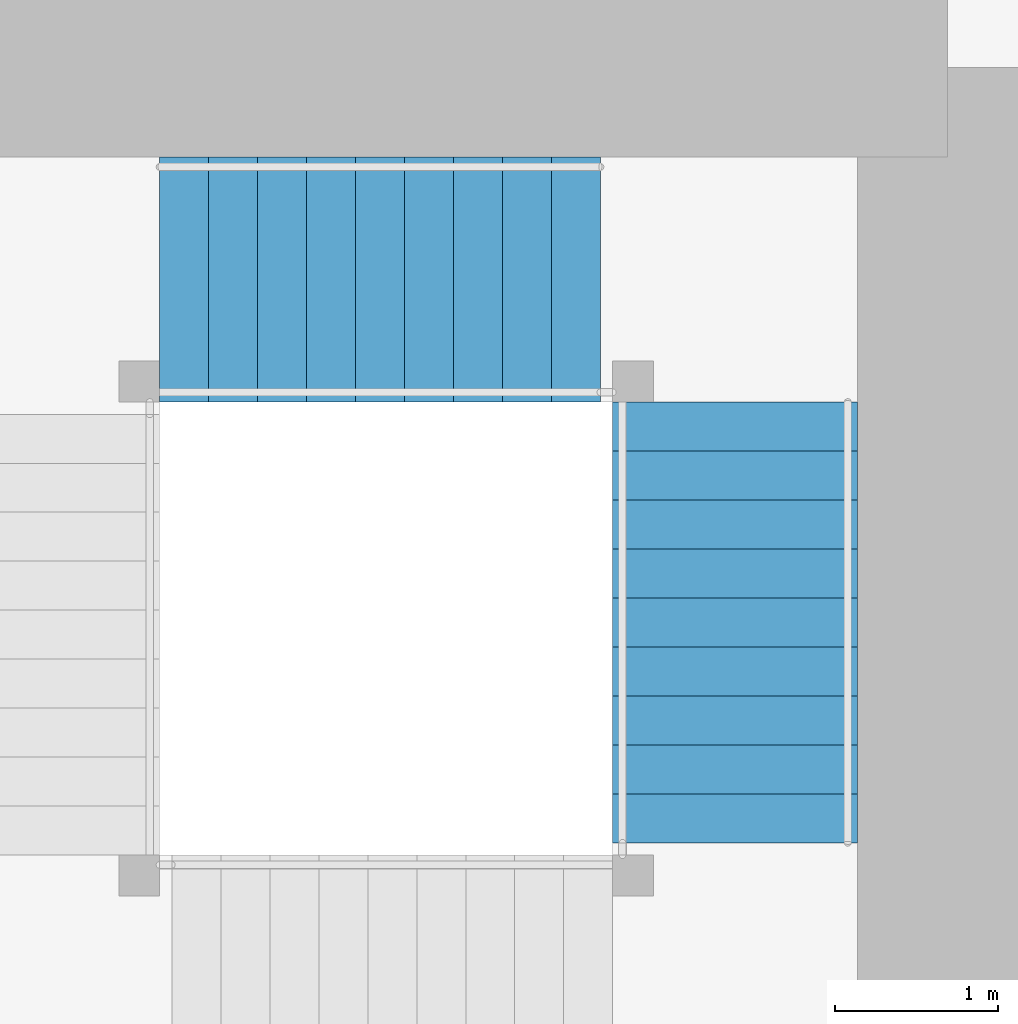
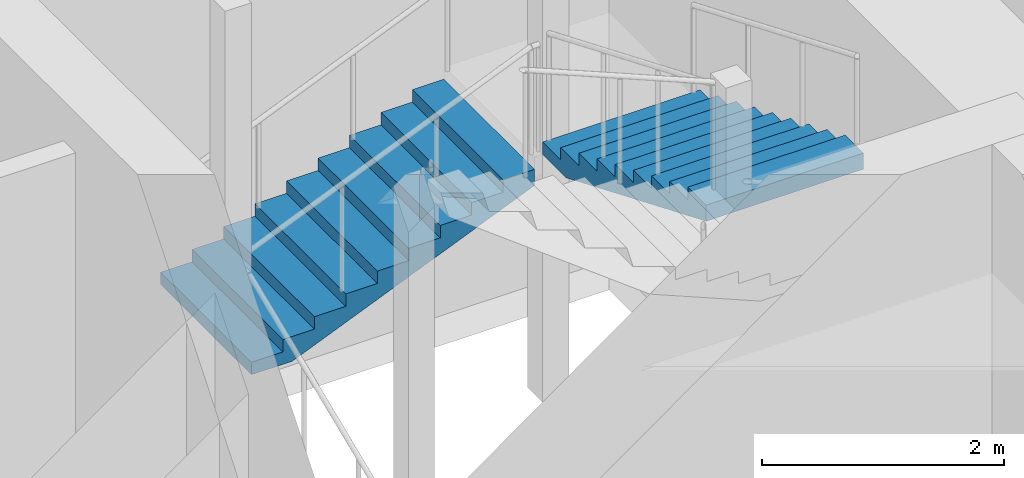
# One storey, part 43 of 52: 2 stair flights, 1 element without a shape of its own.
"""IFC4 building model written with IfcOpenShell, lengths in metres."""

from ifc_helpers import new_model, si_unit, direction, frame, origin, place, context, subcontext, project, spatial, polyline, outline, extrude, material, type_object, element, aggregate, save


model = new_model("IFC4")

# Units and contexts
model_context = context("Model", 3, precision=1e-05, world=origin(), true_north=direction((0.0, 1.0)))
body_context = subcontext(model_context, "Body", "Model", "MODEL_VIEW")
ifc_project = project(units=[si_unit("LENGTHUNIT", "METRE"), si_unit("AREAUNIT", "SQUARE_METRE"), si_unit("VOLUMEUNIT", "CUBIC_METRE"), si_unit("PLANEANGLEUNIT", "RADIAN"), si_unit("MASSUNIT", "GRAM", prefix="KILO")], contexts=[model_context])

# Site, building, storey
site_placement = place(None, origin())
site = spatial("IfcSite", under=ifc_project, at=site_placement, CompositionType="ELEMENT")
building_placement = place(site_placement, origin())
building = spatial("IfcBuilding", under=site, at=building_placement, Name="Rekha Terrace Tower", CompositionType="ELEMENT")
storey_placement = place(building_placement, frame((0.0, 0.0, 20.39990234375)))
storey = spatial("IfcBuildingStorey", under=building, at=storey_placement, Name="L04", CompositionType="ELEMENT", Elevation=20.39990234375)

# Stair, stair flights
ifc_material = material(Name="Concrete M40", Category="concrete")
stair_type = type_object("IfcStairType", Name="ST40 stair, 40 risers of 125, going 300, 1500 wide flights, 4 flights", PredefinedType="QUARTER_TURN_STAIR", material=ifc_material)
stair_placement = place(storey_placement, origin())
stair = element("IfcStair", 1, at=stair_placement, inside=storey, type_object=stair_type, Name="Stair ST2 L04 to L05", PredefinedType="QUARTER_TURN_STAIR")
stair_flight_type = type_object("IfcStairFlightType", Name="SF10 stair flight, 10 risers of 125, going 300, 1500 wide", PredefinedType="STRAIGHT", material=ifc_material)
stair_flight_1_placement = place(storey_placement, frame((45.574951171875, 44.89990234375, 1.25), z_axis=(0.0, 0.0, 1.0), x_axis=(1.0, 0.0, 0.0)))
stair_flight_1 = element("IfcStairFlight", 2, at=stair_flight_1_placement, type_object=stair_flight_type, Name="ST2 flight 2", NumberOfRisers=10, NumberOfTreads=9, PredefinedType="STRAIGHT", RiserHeight=0.125, TreadLength=0.3, context=body_context, shape_type="SweptSolid", body=[
    extrude(outline(polyline([(0.0, 0.0), (0.0, 0.125), (0.300048828125, 0.125), (0.300048828125, 0.25), (0.60009765625, 0.25), (0.60009765625, 0.375), (0.89990234375, 0.375), (0.89990234375, 0.5), (1.199951171875, 0.5), (1.199951171875, 0.625), (1.5, 0.625), (1.5, 0.75), (1.800048828125, 0.75), (1.800048828125, 0.875), (2.10009765625, 0.875), (2.10009765625, 1.0), (2.39990234375, 1.0), (2.39990234375, 1.125), (2.699951171875, 1.125), (2.699951171875, 1.25), (2.699951171875, 0.962646484375), (0.3896484375, 0.0), (0.0, 0.0)])), frame((0.0, 0.75, 0.0), z_axis=(0.0, -1.0, 0.0), x_axis=(1.0, 0.0, 0.0)), (0.0, 0.0, 1.0), 1.5),
])
stair_flight_2_placement = place(storey_placement, frame((49.10009765625, 44.14990234375, 2.5), z_axis=(0.0, 0.0, 1.0), x_axis=(0.0, -1.0, 0.0)))
stair_flight_2 = element("IfcStairFlight", 3, at=stair_flight_2_placement, type_object=stair_flight_type, Name="ST2 flight 3", NumberOfRisers=10, NumberOfTreads=9, PredefinedType="STRAIGHT", RiserHeight=0.125, TreadLength=0.3, context=body_context, shape_type="SweptSolid", body=[
    extrude(outline(polyline([(0.0, 0.0), (0.0, 0.125), (0.300048828125, 0.125), (0.300048828125, 0.25), (0.60009765625, 0.25), (0.60009765625, 0.375), (0.89990234375, 0.375), (0.89990234375, 0.5), (1.199951171875, 0.5), (1.199951171875, 0.625), (1.5, 0.625), (1.5, 0.75), (1.800048828125, 0.75), (1.800048828125, 0.875), (2.10009765625, 0.875), (2.10009765625, 1.0), (2.39990234375, 1.0), (2.39990234375, 1.125), (2.699951171875, 1.125), (2.699951171875, 1.25), (2.699951171875, 0.962646484375), (0.3896484375, 0.0), (0.0, 0.0)])), frame((0.0, 0.75, 0.0), z_axis=(0.0, -1.0, 0.0), x_axis=(1.0, 0.0, 0.0)), (0.0, 0.0, 1.0), 1.5),
])
aggregate(stair, [stair_flight_1, stair_flight_2])

save(model, "model.ifc")
